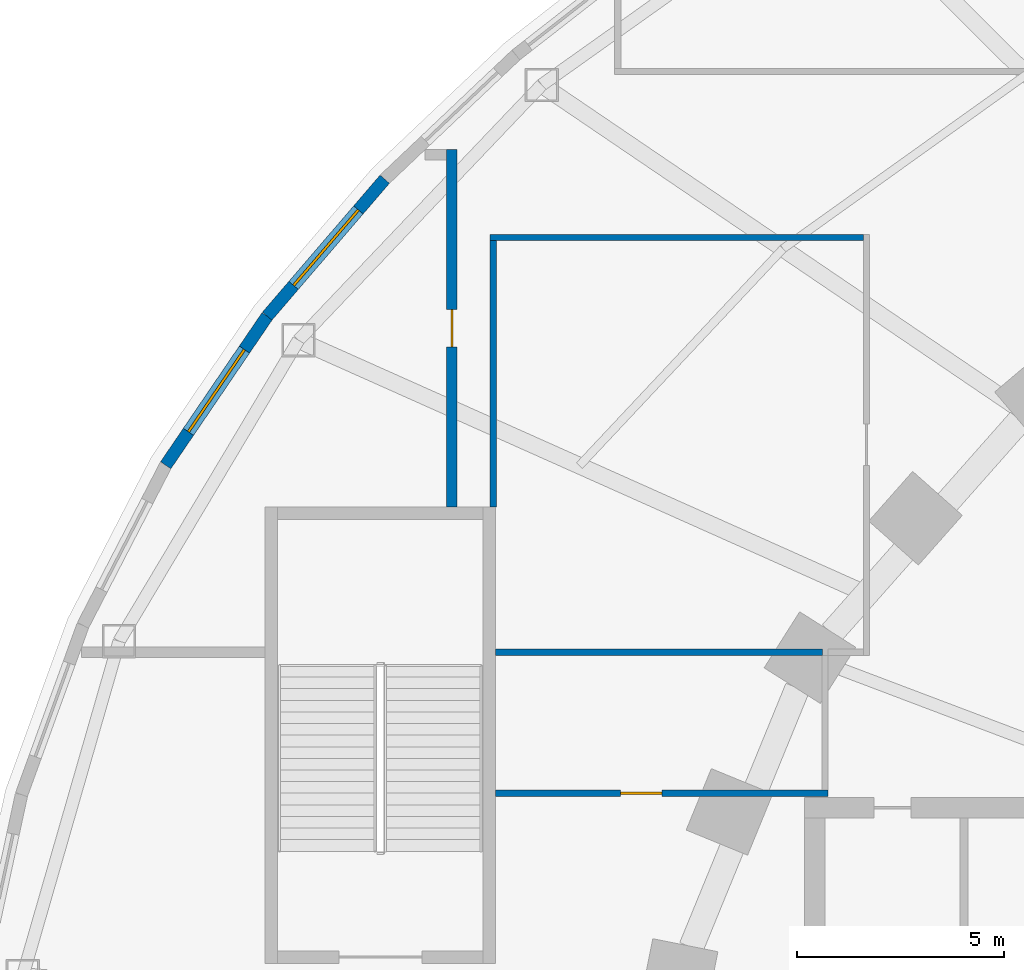
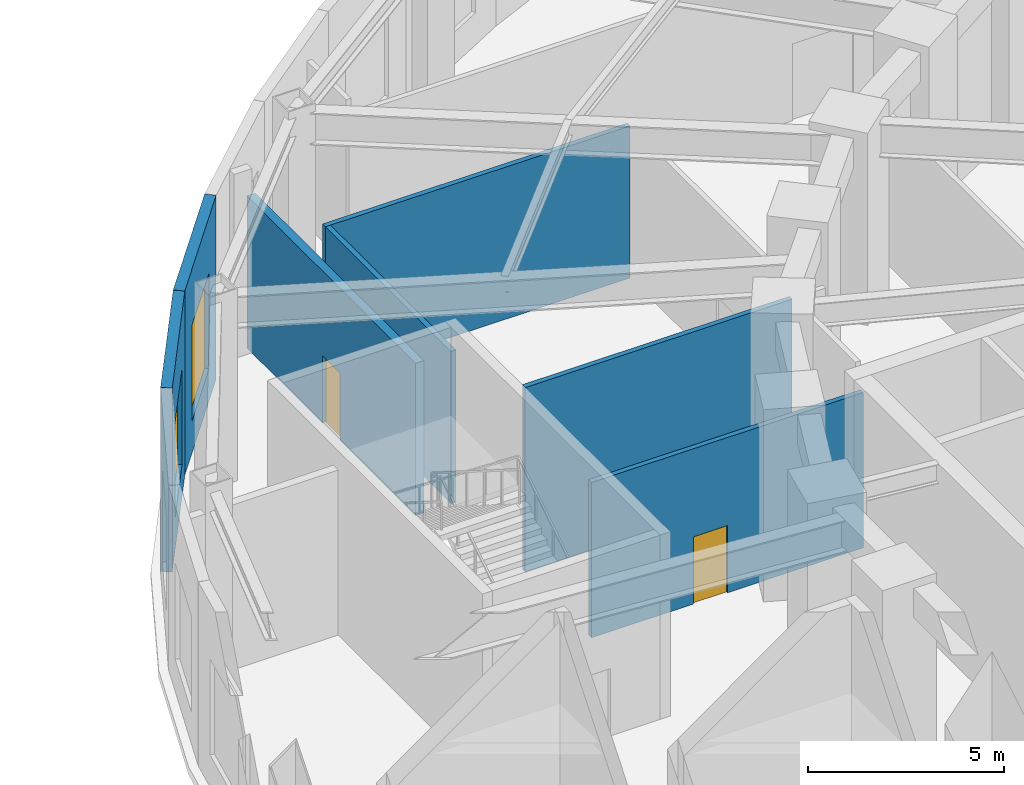
# One storey, part 19 of 74: 7 walls, 2 doors, 2 windows, 4 openings.
"""IFC4 building model written with IfcOpenShell, lengths in metres."""

from ifc_helpers import new_model, si_unit, direction, frame, frame_2d, origin, place, context, subcontext, project, spatial, rectangle, extrude, material, layer, layer_set, type_object, element, fill, save


model = new_model("IFC4")

# Units and contexts
model_context = context("Model", 3, precision=1e-05, world=origin(), true_north=direction((0.0, 1.0)))
body_context = subcontext(model_context, "Body", "Model", "MODEL_VIEW")
ifc_project = project(units=[si_unit("LENGTHUNIT", "METRE"), si_unit("AREAUNIT", "SQUARE_METRE"), si_unit("VOLUMEUNIT", "CUBIC_METRE"), si_unit("PLANEANGLEUNIT", "RADIAN"), si_unit("MASSUNIT", "GRAM", prefix="KILO")], contexts=[model_context])

# Site, building, storey
site_placement = place(None, origin())
site = spatial("IfcSite", under=ifc_project, at=site_placement, CompositionType="ELEMENT")
building_placement = place(site_placement, origin())
building = spatial("IfcBuilding", under=site, at=building_placement, Name="Noorbagh Ring Tower", CompositionType="ELEMENT")
storey_placement = place(building_placement, frame((0.0, 0.0, 13.5)))
storey = spatial("IfcBuildingStorey", under=building, at=storey_placement, Name="L02", CompositionType="ELEMENT", Elevation=13.5)

# Wall, opening, window
ifc_material_1 = material(Name="Blockwork faced with red sandstone", Category="masonry")
ifc_layer_1 = layer(ifc_material_1, 0.300048828125)
ifc_layer_set_1 = layer_set([ifc_layer_1], Name="Blockwork faced with red sandstone")
wall_type_1 = type_object("IfcWallType", Name="GND-ENV-WALL", PredefinedType="SOLIDWALL", material=ifc_layer_set_1)
wall_1_placement = place(storey_placement, frame((-41.61669921875, 23.406005859375, 0.0), z_axis=(0.0, 0.0, 1.0), x_axis=(-0.651387059497, -0.758745608699, 0.0)))
wall_1 = element("IfcWall", 1, at=wall_1_placement, inside=storey, type_object=wall_type_1, Name="Podium wall", PredefinedType="SOLIDWALL", context=body_context, shape_type="SweptSolid", body=[
    extrude(rectangle(XDim=4.3525390625, YDim=0.300048828125, at=frame_2d((2.17626953125, 0.0))), origin(), (0.0, 0.0, 1.0), 5.75),
])
opening_1_placement = place(wall_1_placement, frame((0.976318359375, 0.0, 1.0)))
opening_1 = element("IfcOpeningElement", 2, at=opening_1_placement, cuts=wall_1, Name="Opening GWN1", PredefinedType="OPENING", context=body_context, shape_type="SweptSolid", body=[
    extrude(rectangle(XDim=2.39990234375, YDim=3.0, at=frame_2d((1.199951171875, 1.5))), frame((0.0, 0.16015625, 0.0), z_axis=(0.0, -1.0, 0.0), x_axis=(1.0, 0.0, 0.0)), (0.0, 0.0, 1.0), 0.320068359375),
])
ifc_material_2 = material(Name="Aluminium and glass", Category="aluminium")
window_type = type_object("IfcWindowType", Name="GND-ENV-WINDOW", PartitioningType="SINGLE_PANEL", PredefinedType="WINDOW", material=ifc_material_2)
window_1_placement = place(opening_1_placement, origin())
window_1 = element("IfcWindow", 3, at=window_1_placement, inside=storey, type_object=window_type, Name="L02 podium window", OverallHeight=3.0, OverallWidth=2.39990234375, PartitioningType="SINGLE_PANEL", PredefinedType="WINDOW", context=body_context, shape_type="SweptSolid", body=[
    extrude(rectangle(XDim=2.39990234375, YDim=3.0, at=frame_2d((1.199951171875, 1.5))), frame((0.0, 0.030029296875, 0.0), z_axis=(0.0, -1.0, 0.0), x_axis=(1.0, 0.0, 0.0)), (0.0, 0.0, 1.0), 0.06005859375),
])
fill(opening_1, window_1)

wall_2_placement = place(storey_placement, frame((-44.451904296875, 20.103515625, 0.0), z_axis=(0.0, 0.0, 1.0), x_axis=(-0.562667738859, -0.82668314102, 0.0)))
wall_2 = element("IfcWall", 4, at=wall_2_placement, inside=storey, type_object=wall_type_1, Name="Podium wall", PredefinedType="SOLIDWALL", context=body_context, shape_type="SweptSolid", body=[
    extrude(rectangle(XDim=4.348876953125, YDim=0.300048828125, at=frame_2d((2.17431640625, 0.0))), origin(), (0.0, 0.0, 1.0), 5.75),
])
opening_2_placement = place(wall_2_placement, frame((0.974365234375, 0.0, 1.0)))
opening_2 = element("IfcOpeningElement", 5, at=opening_2_placement, cuts=wall_2, Name="Opening GWN1", PredefinedType="OPENING", context=body_context, shape_type="SweptSolid", body=[
    extrude(rectangle(XDim=2.39990234375, YDim=3.0, at=frame_2d((1.199951171875, 1.5))), frame((0.0, 0.16015625, 0.0), z_axis=(0.0, -1.0, 0.0), x_axis=(1.0, 0.0, 0.0)), (0.0, 0.0, 1.0), 0.320068359375),
])
window_2_placement = place(opening_2_placement, origin())
window_2 = element("IfcWindow", 6, at=window_2_placement, inside=storey, type_object=window_type, Name="L02 podium window", OverallHeight=3.0, OverallWidth=2.39990234375, PartitioningType="SINGLE_PANEL", PredefinedType="WINDOW", context=body_context, shape_type="SweptSolid", body=[
    extrude(rectangle(XDim=2.39990234375, YDim=3.0, at=frame_2d((1.199951171875, 1.5))), frame((0.0, 0.030029296875, 0.0), z_axis=(0.0, -1.0, 0.0), x_axis=(1.0, 0.0, 0.0)), (0.0, 0.0, 1.0), 0.06005859375),
])
fill(opening_2, window_2)

# Walls
ifc_material_3 = material(Name="Gypsum board on steel studs", Category="steel")
ifc_layer_2 = layer(ifc_material_3, 0.14990234375)
ifc_layer_set_2 = layer_set([ifc_layer_2], Name="Gypsum board on steel studs")
wall_type_2 = type_object("IfcWallType", Name="GND-PART-150", PredefinedType="PARTITIONING", material=ifc_layer_set_2)
wall_3_placement = place(storey_placement, frame((-31.06494140625, 12.0, 0.0), z_axis=(0.0, 0.0, 1.0), x_axis=(-1.0, 0.0, 0.0)))
element("IfcWall", 7, at=wall_3_placement, inside=storey, type_object=wall_type_2, Name="L02/wall/P044", PredefinedType="PARTITIONING", context=body_context, shape_type="SweptSolid", body=[
    extrude(rectangle(XDim=7.885009765625, YDim=0.14990234375, at=frame_2d((3.9423828125, 0.0))), origin(), (0.0, 0.0, 1.0), 5.75),
])
wall_4_placement = place(storey_placement, frame((-39.0, 15.5, 0.0), z_axis=(0.0, 0.0, 1.0), x_axis=(0.0, 1.0, 0.0)))
element("IfcWall", 8, at=wall_4_placement, inside=storey, type_object=wall_type_2, Name="L02/wall/P047", PredefinedType="PARTITIONING", context=body_context, shape_type="SweptSolid", body=[
    extrude(rectangle(XDim=6.425048828125, YDim=0.14990234375, at=frame_2d((3.21240234375, 0.0))), origin(), (0.0, 0.0, 1.0), 4.75),
])
wall_5_placement = place(storey_placement, frame((-39.074951171875, 22.0, 0.0), z_axis=(0.0, 0.0, 1.0), x_axis=(1.0, 0.0, 0.0)))
element("IfcWall", 9, at=wall_5_placement, inside=storey, type_object=wall_type_2, Name="L02/wall/P048", PredefinedType="PARTITIONING", context=body_context, shape_type="SweptSolid", body=[
    extrude(rectangle(XDim=9.0, YDim=0.14990234375, at=frame_2d((4.5, 0.0))), origin(), (0.0, 0.0, 1.0), 4.75),
])

# Wall, opening, door
wall_6_placement = place(storey_placement, frame((-30.925048828125, 8.60009765625, 0.0), z_axis=(0.0, 0.0, 1.0), x_axis=(-1.0, 0.0, 0.0)))
wall_6 = element("IfcWall", 10, at=wall_6_placement, inside=storey, type_object=wall_type_2, Name="L02/wall/P049", PredefinedType="PARTITIONING", context=body_context, shape_type="SweptSolid", body=[
    extrude(rectangle(XDim=8.02490234375, YDim=0.14990234375, at=frame_2d((4.012451171875, 0.0))), origin(), (0.0, 0.0, 1.0), 4.85009765625),
])
opening_3_placement = place(wall_6_placement, frame((4.012451171875, 0.0, 0.0)))
opening_3 = element("IfcOpeningElement", 11, at=opening_3_placement, cuts=wall_6, Name="Opening GD6", PredefinedType="OPENING", context=body_context, shape_type="SweptSolid", body=[
    extrude(rectangle(XDim=1.0, YDim=2.10009765625, at=frame_2d((0.5, 1.050048828125))), frame((0.0, 0.0849609375, 0.0), z_axis=(0.0, -1.0, 0.0), x_axis=(1.0, 0.0, 0.0)), (0.0, 0.0, 1.0), 0.169921875),
])
ifc_material_4 = material(Name="Timber", Category="wood")
door_type_1 = type_object("IfcDoorType", Name="GND-DOOR-HALL", OperationType="SINGLE_SWING_LEFT", PredefinedType="DOOR", material=ifc_material_4)
door_1_placement = place(opening_3_placement, origin())
door_1 = element("IfcDoor", 12, at=door_1_placement, inside=storey, type_object=door_type_1, Name="Accessible WC door", OperationType="SINGLE_SWING_LEFT", OverallHeight=2.10009765625, OverallWidth=1.0, PredefinedType="DOOR", context=body_context, shape_type="SweptSolid", body=[
    extrude(rectangle(XDim=1.0, YDim=2.10009765625, at=frame_2d((0.5, 1.050048828125))), frame((0.0, 0.02490234375, 0.0), z_axis=(0.0, -1.0, 0.0), x_axis=(1.0, 0.0, 0.0)), (0.0, 0.0, 1.0), 0.050048828125),
])
fill(opening_3, door_1)

ifc_material_5 = material(Name="Reinforced blockwork", Category="masonry")
ifc_layer_3 = layer(ifc_material_5, 0.25)
ifc_layer_set_3 = layer_set([ifc_layer_3], Name="Reinforced blockwork")
wall_type_3 = type_object("IfcWallType", Name="GND-PART-250", PredefinedType="PARTITIONING", material=ifc_layer_set_3)
wall_7_placement = place(storey_placement, frame((-40.0, 24.125, 0.0), z_axis=(0.0, 0.0, 1.0), x_axis=(0.0, -1.0, 0.0)))
wall_7 = element("IfcWall", 13, at=wall_7_placement, inside=storey, type_object=wall_type_3, Name="L02/wall/P043", PredefinedType="PARTITIONING", context=body_context, shape_type="SweptSolid", body=[
    extrude(rectangle(XDim=8.625, YDim=0.25, at=frame_2d((4.3125, 0.0))), origin(), (0.0, 0.0, 1.0), 4.75),
])
opening_4_placement = place(wall_7_placement, frame((3.862548828125, 0.0, 0.0)))
opening_4 = element("IfcOpeningElement", 14, at=opening_4_placement, cuts=wall_7, Name="Opening GD11", PredefinedType="OPENING", context=body_context, shape_type="SweptSolid", body=[
    extrude(rectangle(XDim=0.89990234375, YDim=2.10009765625, at=frame_2d((0.449951171875, 1.050048828125))), frame((0.0, 0.135009765625, 0.0), z_axis=(0.0, -1.0, 0.0), x_axis=(1.0, 0.0, 0.0)), (0.0, 0.0, 1.0), 0.27001953125),
])
ifc_material_6 = material(Name="Steel", Category="steel")
door_type_2 = type_object("IfcDoorType", Name="GND-DOOR-HALL-FD120", OperationType="SINGLE_SWING_LEFT", PredefinedType="DOOR", material=ifc_material_6)
door_2_placement = place(opening_4_placement, origin())
door_2 = element("IfcDoor", 15, at=door_2_placement, inside=storey, type_object=door_type_2, Name="Electrical room door", OperationType="SINGLE_SWING_RIGHT", OverallHeight=2.10009765625, OverallWidth=0.89990234375, PredefinedType="DOOR", context=body_context, shape_type="SweptSolid", body=[
    extrude(rectangle(XDim=0.89990234375, YDim=2.10009765625, at=frame_2d((0.449951171875, 1.050048828125))), frame((0.0, 0.02490234375, 0.0), z_axis=(0.0, -1.0, 0.0), x_axis=(1.0, 0.0, 0.0)), (0.0, 0.0, 1.0), 0.050048828125),
])
fill(opening_4, door_2)

save(model, "model.ifc")
